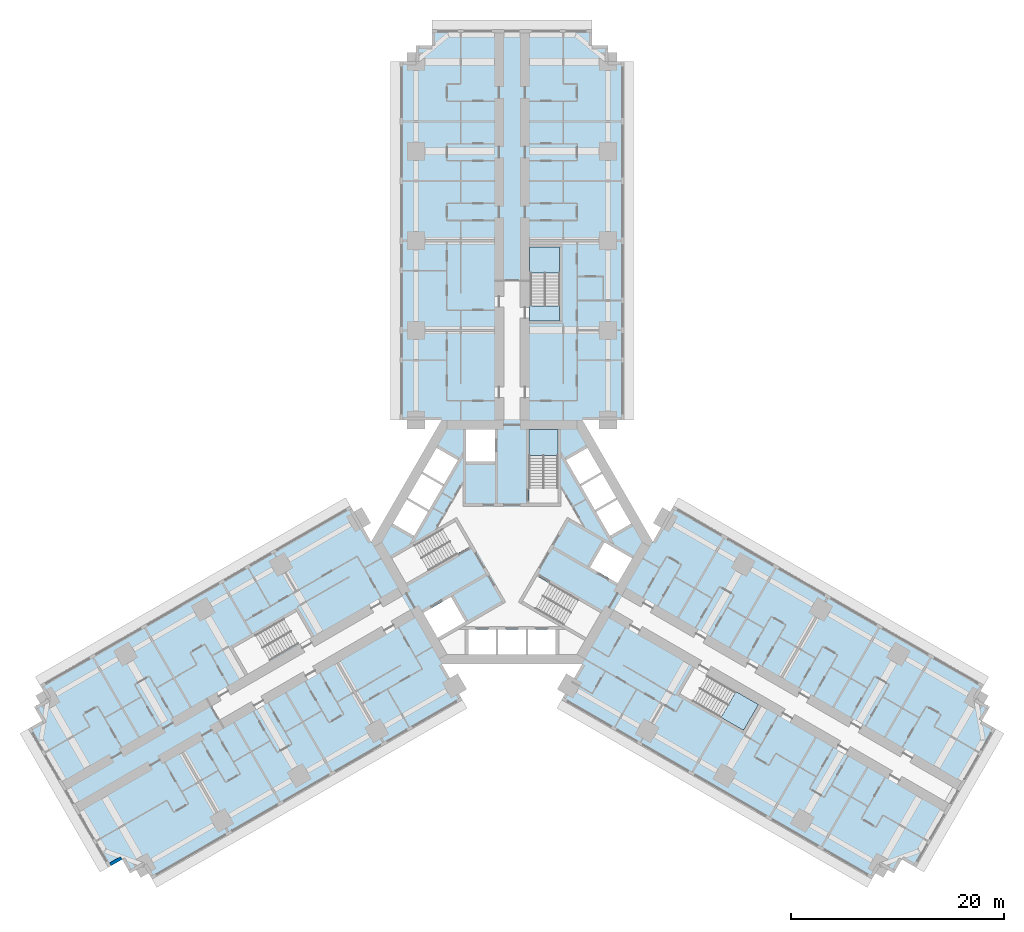
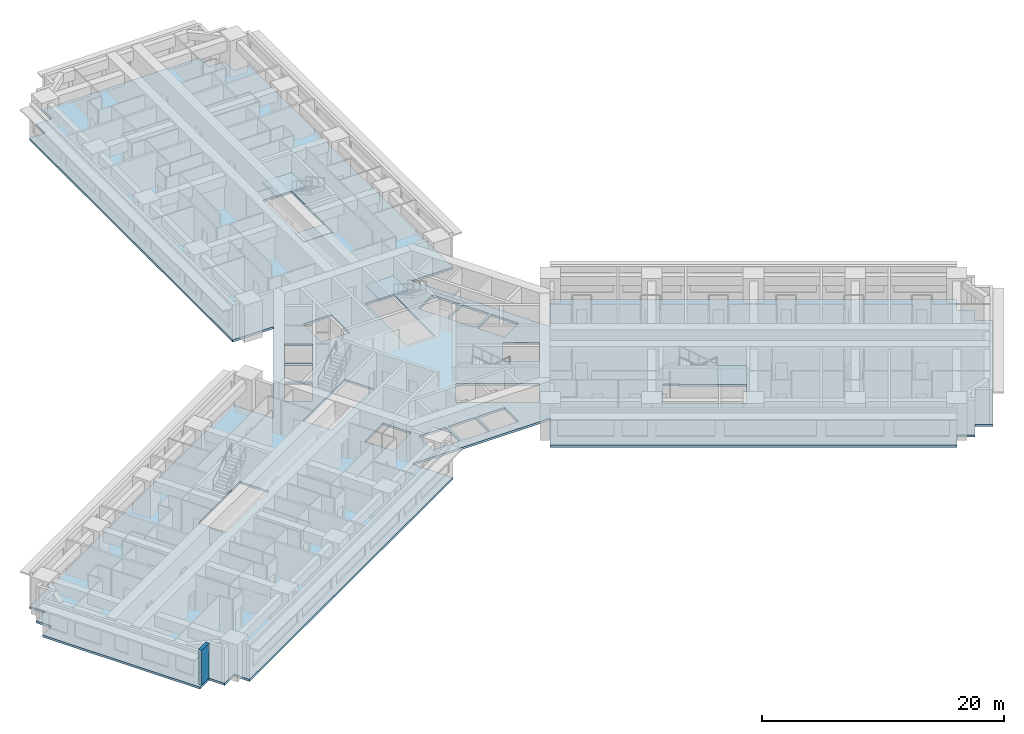
# One storey, part 2 of 16: 5 slabs, 1 wall, 3 elements without a shape of their own.
"""IFC4 building model written with IfcOpenShell, lengths in metres."""

from ifc_helpers import new_model, si_unit, direction, frame, frame_2d, origin, place, context, subcontext, project, spatial, polyline, rectangle, outline, extrude, material, layer, layer_set, type_object, element, aggregate, save


model = new_model("IFC4")

# Units and contexts
model_context = context("Model", 3, precision=1e-05, world=origin(), true_north=direction((0.0, 1.0)))
body_context = subcontext(model_context, "Body", "Model", "MODEL_VIEW")
ifc_project = project(units=[si_unit("LENGTHUNIT", "METRE"), si_unit("AREAUNIT", "SQUARE_METRE"), si_unit("VOLUMEUNIT", "CUBIC_METRE"), si_unit("PLANEANGLEUNIT", "RADIAN"), si_unit("MASSUNIT", "GRAM", prefix="KILO")], contexts=[model_context])

# Site, building, storey
site_placement = place(None, origin())
site = spatial("IfcSite", under=ifc_project, at=site_placement, CompositionType="ELEMENT")
building_placement = place(site_placement, origin())
building = spatial("IfcBuilding", under=site, at=building_placement, Name="Impinga Residences", CompositionType="ELEMENT")
storey_placement = place(building_placement, frame((0.0, 0.0, 37.25)))
storey = spatial("IfcBuildingStorey", under=building, at=storey_placement, Name="L08", CompositionType="ELEMENT", Elevation=37.25)

# Slab
ifc_material_1 = material(Name="Concrete C60/75", Category="concrete")
ifc_layer_1 = layer(ifc_material_1, 0.219970703125)
ifc_layer_set_1 = layer_set([ifc_layer_1], Name="Concrete C60/75")
slab_type_1 = type_object("IfcSlabType", Name="FS1 tower floor slab 220", PredefinedType="FLOOR", material=ifc_layer_set_1)
slab_1_placement = place(storey_placement, frame((0.0, 0.0, -0.219970703125)))
element("IfcSlab", 1, at=slab_1_placement, inside=storey, type_object=slab_type_1, Name="Floor slab FS1 L08", PredefinedType="FLOOR", context=body_context, shape_type="SweptSolid", body=[
    extrude(outline(polyline([(-34.49853515625, -30.31005859375), (-35.797607421875, -31.06005859375), (-36.547607421875, -29.760986328125), (-37.846435546875, -30.510986328125), (-45.346435546875, -17.5205078125), (-44.047607421875, -16.7705078125), (-44.797607421875, -15.471435546875), (-43.49853515625, -14.721435546875), (-44.24853515625, -13.422607421875), (-15.14990234375, 3.37744140625), (-13.199951171875, 0.0), (-6.60009765625, 11.431640625), (-10.5, 11.431640625), (-10.5, 45.031494140625), (-9.0, 45.031494140625), (-9.0, 46.531494140625), (-7.5, 46.531494140625), (-7.5, 48.031494140625), (7.5, 48.031494140625), (7.5, 46.531494140625), (9.0, 46.531494140625), (9.0, 45.031494140625), (10.5, 45.031494140625), (10.5, 11.431640625), (6.60009765625, 11.431640625), (13.199951171875, 0.0), (15.14990234375, 3.37744140625), (44.24853515625, -13.422607421875), (43.49853515625, -14.721435546875), (44.797607421875, -15.471435546875), (44.047607421875, -16.7705078125), (45.346435546875, -17.5205078125), (37.846435546875, -30.510986328125), (36.547607421875, -29.760986328125), (35.797607421875, -31.06005859375), (34.49853515625, -30.31005859375), (33.74853515625, -31.609130859375), (4.64990234375, -14.80908203125), (9.900146484375, -5.7158203125), (6.60009765625, -11.431640625), (-6.60009765625, -11.431640625), (-9.900146484375, -5.7158203125), (-4.64990234375, -14.80908203125), (-33.74853515625, -31.609130859375), (-34.49853515625, -30.31005859375)]), holes=[polyline([(-21.391357421875, -7.2119140625), (-26.154541015625, -9.9619140625), (-24.8046875, -12.30029296875), (-20.04150390625, -9.55029296875), (-19.991455078125, -9.63671875), (-18.779052734375, -8.936767578125), (-18.8291015625, -8.850341796875), (-18.8291015625, -8.850341796875), (-20.178955078125, -6.511962890625), (-21.391357421875, -7.2119140625), (-21.391357421875, -7.2119140625)]), polyline([(-1.5, -8.2314453125), (-4.10009765625, -8.2314453125), (-4.10009765625, -10.531494140625), (-1.5, -10.531494140625), (-1.5, -8.2314453125)]), polyline([(1.300048828125, -8.2314453125), (-1.300048828125, -8.2314453125), (-1.300048828125, -10.531494140625), (1.300048828125, -10.531494140625), (1.300048828125, -8.2314453125)]), polyline([(1.5, -8.2314453125), (1.5, -10.531494140625), (4.10009765625, -10.531494140625), (4.10009765625, -8.2314453125), (1.5, -8.2314453125)]), polyline([(-5.72119140625, -5.150634765625), (-8.320556640625, -6.6513671875), (-6.970458984375, -8.98974609375), (-4.37109375, -7.489013671875), (-5.72119140625, -5.150634765625)]), polyline([(-3.943603515625, -0.429443359375), (-5.293701171875, 1.908935546875), (-11.2705078125, -1.541748046875), (-9.920654296875, -3.880126953125), (-3.943603515625, -0.429443359375)]), polyline([(-9.1787109375, 0.56494140625), (-7.878662109375, 2.816650390625), (-9.87060546875, 3.966796875), (-11.170654296875, 1.715087890625), (-9.1787109375, 0.56494140625)]), polyline([(-6.478759765625, 5.24169921875), (-8.470458984375, 6.3916015625), (-9.7705078125, 4.139892578125), (-7.77880859375, 2.989990234375), (-6.478759765625, 5.24169921875)]), polyline([(-6.378662109375, 5.414794921875), (-5.07861328125, 7.66650390625), (-7.070556640625, 8.81640625), (-8.37060546875, 6.564697265625), (-6.378662109375, 5.414794921875)]), polyline([(-4.300048828125, 7.530029296875), (-1.60009765625, 7.530029296875), (-1.60009765625, 10.531494140625), (-4.300048828125, 10.531494140625), (-4.300048828125, 7.530029296875)]), polyline([(15.72900390625, -14.219482421875), (21.70458984375, -17.669677734375), (23.0546875, -15.331298828125), (18.29150390625, -12.581298828125), (18.341552734375, -12.49462890625), (17.129150390625, -11.794677734375), (15.72900390625, -14.219482421875)]), polyline([(0.99365234375, -5.538818359375), (6.970458984375, -8.98974609375), (8.320556640625, -6.6513671875), (2.34375, -3.20068359375), (0.99365234375, -5.538818359375)]), polyline([(8.671142578125, -0.041015625), (7.3212890625, -2.37939453125), (9.920654296875, -3.880126953125), (11.2705078125, -1.541748046875), (8.671142578125, -0.041015625)]), polyline([(7.878662109375, 2.816650390625), (9.1787109375, 0.56494140625), (11.170654296875, 1.715087890625), (9.87060546875, 3.966796875), (7.878662109375, 2.816650390625)]), polyline([(7.77880859375, 2.989990234375), (9.7705078125, 4.139892578125), (8.470458984375, 6.3916015625), (6.478759765625, 5.24169921875), (7.77880859375, 2.989990234375)]), polyline([(1.60009765625, 3.6298828125), (4.300048828125, 3.6298828125), (4.300048828125, 10.531494140625), (1.60009765625, 10.531494140625), (1.60009765625, 3.6298828125)]), polyline([(5.07861328125, 7.66650390625), (6.378662109375, 5.414794921875), (8.37060546875, 6.564697265625), (7.070556640625, 8.81640625), (5.07861328125, 7.66650390625)]), polyline([(1.75, 22.131591796875), (1.64990234375, 22.131591796875), (1.64990234375, 20.7314453125), (1.75, 20.7314453125), (4.449951171875, 20.7314453125), (4.449951171875, 22.131591796875), (4.449951171875, 27.631591796875), (1.75, 27.631591796875), (1.75, 22.131591796875)])]), origin(), (0.0, 0.0, 1.0), 0.219970703125),
])

# Stair, slab
ifc_material_2 = material(Name="Concrete C40/50", Category="concrete")
stair_type_1 = type_object("IfcStairType", Name="STR core stair 3750 storey, 24 risers", PredefinedType="HALF_TURN_STAIR", material=ifc_material_2)
stair_1_placement = place(storey_placement, origin())
stair_1 = element("IfcStair", 2, at=stair_1_placement, inside=storey, type_object=stair_type_1, Name="Stair ST1 L08", PredefinedType="HALF_TURN_STAIR")
ifc_layer_2 = layer(ifc_material_2, 0.199951171875)
ifc_layer_set_2 = layer_set([ifc_layer_2], Name="Concrete C40/50")
slab_type_2 = type_object("IfcSlabType", Name="LS1 stair landing 200", PredefinedType="LANDING", material=ifc_layer_set_2)
slab_2_placement = place(storey_placement, frame((0.0, 0.0, 1.675048828125)))
slab_2 = element("IfcSlab", 3, at=slab_2_placement, type_object=slab_type_2, Name="ST1 landing 2", PredefinedType="LANDING", context=body_context, shape_type="SweptSolid", body=[
    extrude(outline(polyline([(1.60009765625, 8.10009765625), (4.300048828125, 8.10009765625), (4.300048828125, 10.531494140625), (1.60009765625, 10.531494140625), (1.60009765625, 8.10009765625)])), origin(), (0.0, 0.0, 1.0), 0.199951171875),
])
aggregate(stair_1, [slab_2])

# Stair, slabs
stair_type_2 = type_object("IfcStairType", Name="STR wing stair 3750 storey, 24 risers", PredefinedType="HALF_TURN_STAIR", material=ifc_material_2)
stair_2_placement = place(storey_placement, origin())
stair_2 = element("IfcStair", 4, at=stair_2_placement, inside=storey, type_object=stair_type_2, Name="Stair WS1 L08", PredefinedType="HALF_TURN_STAIR")
slab_3_placement = place(storey_placement, frame((0.0, 0.0, -0.199951171875)))
slab_3 = element("IfcSlab", 5, at=slab_3_placement, type_object=slab_type_2, Name="WS1 landing 1", PredefinedType="LANDING", context=body_context, shape_type="SweptSolid", body=[
    extrude(outline(polyline([(1.64990234375, 20.7314453125), (4.449951171875, 20.7314453125), (4.449951171875, 22.1416015625), (1.64990234375, 22.1416015625), (1.64990234375, 20.7314453125)])), origin(), (0.0, 0.0, 1.0), 0.199951171875),
])
slab_4_placement = place(storey_placement, frame((0.0, 0.0, 1.675048828125)))
slab_4 = element("IfcSlab", 6, at=slab_4_placement, type_object=slab_type_2, Name="WS1 landing 2", PredefinedType="LANDING", context=body_context, shape_type="SweptSolid", body=[
    extrude(outline(polyline([(1.64990234375, 25.201416015625), (4.449951171875, 25.201416015625), (4.449951171875, 27.631591796875), (1.64990234375, 27.631591796875), (1.64990234375, 25.201416015625)])), origin(), (0.0, 0.0, 1.0), 0.199951171875),
])
aggregate(stair_2, [slab_3, slab_4])

# Stair, slab
stair_3_placement = place(storey_placement, origin())
stair_3 = element("IfcStair", 7, at=stair_3_placement, inside=storey, type_object=stair_type_2, Name="Stair WS3 L08", PredefinedType="HALF_TURN_STAIR")
slab_5_placement = place(storey_placement, frame((0.0, 0.0, 1.675048828125)))
slab_5 = element("IfcSlab", 8, at=slab_5_placement, type_object=slab_type_2, Name="WS3 landing 2", PredefinedType="LANDING", context=body_context, shape_type="SweptSolid", body=[
    extrude(outline(polyline([(21.000244140625, -14.02978515625), (19.60009765625, -16.45458984375), (21.70458984375, -17.669677734375), (23.1044921875, -15.24462890625), (21.000244140625, -14.02978515625)])), origin(), (0.0, 0.0, 1.0), 0.199951171875),
])
aggregate(stair_3, [slab_5])

# Wall
ifc_material_3 = material(Name="Terracotta rainscreen on blockwork", Category="masonry")
ifc_layer_3 = layer(ifc_material_3, 0.300048828125)
ifc_layer_set_3 = layer_set([ifc_layer_3], Name="EW1 external wall, terracotta rainscreen on blockwork 300")
wall_type = type_object("IfcWallType", Name="EW1 external wall, terracotta rainscreen on blockwork 300", PredefinedType="SOLIDWALL", material=ifc_layer_set_3)
wall_placement = place(storey_placement, frame((-36.626708984375, -29.633544921875, 0.0), z_axis=(0.0, 0.0, 1.0), x_axis=(-0.866059708757, -0.499940577336, 0.0)))
element("IfcWall", 9, at=wall_placement, inside=storey, type_object=wall_type, Name="External wall EW1 L08", PredefinedType="SOLIDWALL", context=body_context, shape_type="SweptSolid", body=[
    extrude(rectangle(XDim=1.195068359375, YDim=0.300048828125, at=frame_2d((0.59765625, 0.0))), origin(), (0.0, 0.0, 1.0), 3.530029296875),
])

save(model, "model.ifc")
